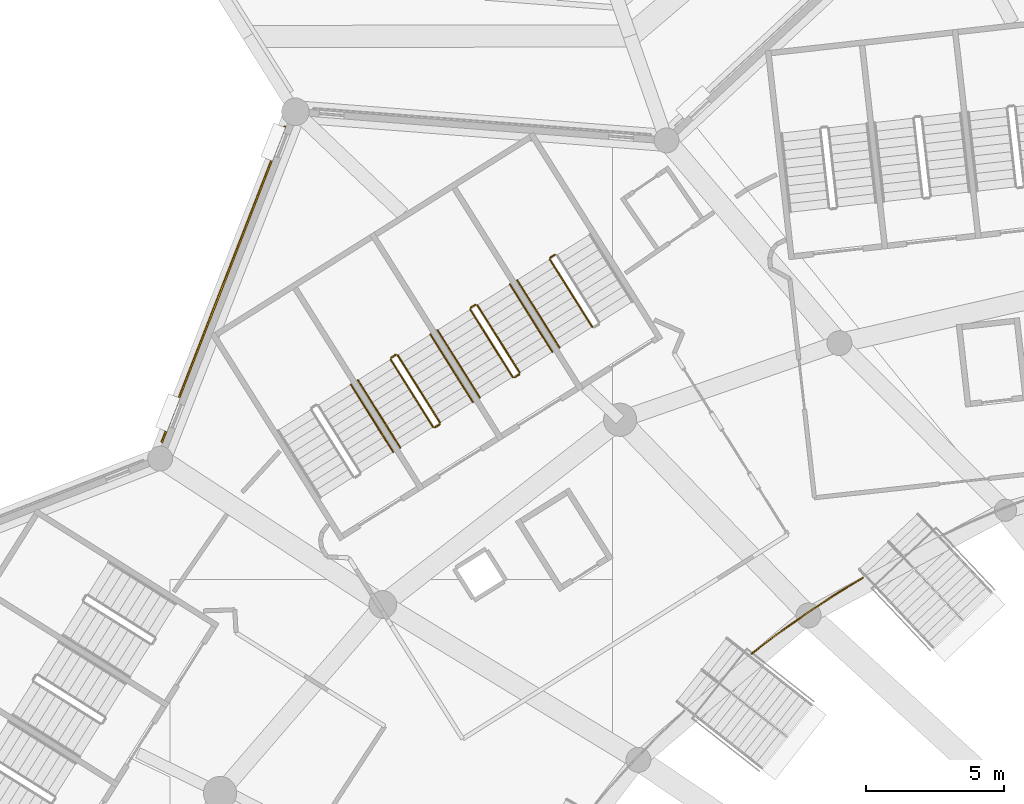
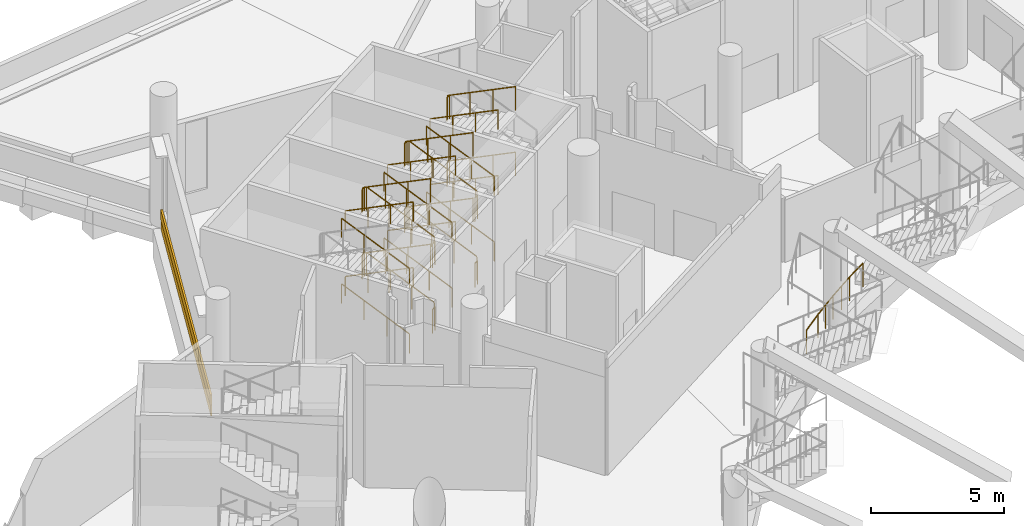
# One storey, part 151 of 173: 33 railings, 2 coverings.
"""IFC4 building model written with IfcOpenShell, lengths in metres."""

from ifc_helpers import new_model, si_unit, direction, frame, origin, origin_2d, place, context, subcontext, project, spatial, rectangle, circle, extrude, material, layer, layer_set, type_object, element, save


model = new_model("IFC4")

# Units and contexts
model_context = context("Model", 3, precision=1e-05, world=origin(), true_north=direction((0.0, 1.0)))
body_context = subcontext(model_context, "Body", "Model", "MODEL_VIEW")
ifc_project = project(units=[si_unit("LENGTHUNIT", "METRE"), si_unit("AREAUNIT", "SQUARE_METRE"), si_unit("VOLUMEUNIT", "CUBIC_METRE"), si_unit("PLANEANGLEUNIT", "RADIAN"), si_unit("MASSUNIT", "GRAM", prefix="KILO")], contexts=[model_context])

# Site, building, storey
site_placement = place(None, origin())
site = spatial("IfcSite", under=ifc_project, at=site_placement, CompositionType="ELEMENT")
building_placement = place(site_placement, origin())
building = spatial("IfcBuilding", under=site, at=building_placement, Name="Meseta Stadium", CompositionType="ELEMENT")
storey_placement = place(building_placement, frame((0.0, 0.0, 18.0)))
storey = spatial("IfcBuildingStorey", under=building, at=storey_placement, Name="L03", CompositionType="ELEMENT", Elevation=18.0)

# Covering
ifc_material_1 = material(Name="Guadarrama granite cladding", Category="masonry")
ifc_layer_1 = layer(ifc_material_1, 0.06005859375)
ifc_layer_set_1 = layer_set([ifc_layer_1], Name="Granite plinth cladding 60")
covering_type_1 = type_object("IfcCoveringType", Name="Granite plinth cladding 60", PredefinedType="CLADDING", material=ifc_layer_set_1)
covering_1_placement = place(storey_placement, frame((-78.073486328125, 90.669921875, 0.0), z_axis=(0.0, 0.0, 1.0), x_axis=(0.363280500237, 0.931679815252, 0.0)))
element("IfcCovering", 1, at=covering_1_placement, inside=storey, type_object=covering_type_1, Name="Granite plinth L03 F24", PredefinedType="CLADDING", context=body_context, shape_type="SweptSolid", body=[
    extrude(rectangle(XDim=12.273681640625, YDim=0.06005859375, at=origin_2d()), origin(), (0.0, 0.0, 1.0), 0.5),
])

# Railings
ifc_material_2 = material(Name="Steel S355", Category="steel")
railing_type_1 = type_object("IfcRailingType", Name="Plate edge guard 1100", PredefinedType="GUARDRAIL", material=ifc_material_2)
railing_1_placement = place(storey_placement, frame((-54.950927734375, 80.05615234375, 0.0)))
element("IfcRailing", 2, at=railing_1_placement, inside=storey, type_object=railing_type_1, Name="L03 inner edge guard 25", PredefinedType="GUARDRAIL", context=body_context, shape_type="SweptSolid", body=[
    extrude(circle(Radius=0.02490234375, at=origin_2d()), frame((0.0, 0.0, 1.0751953125), z_axis=(-0.855746499961, -0.517395330289, 0.0), x_axis=(0.517395330289, -0.855746499961, 0.0)), (0.0, 0.0, 1.0), 1.0390625),
    extrude(circle(Radius=0.02490234375, at=origin_2d()), frame((-0.88916015625, -0.53759765625, 1.0751953125), z_axis=(-0.836743645867, -0.547594805583, 0.0), x_axis=(0.547594805583, -0.836743645867, 0.0)), (0.0, 0.0, 1.0), 1.351806640625),
    extrude(circle(Radius=0.02490234375, at=origin_2d()), frame((-2.020263671875, -1.27783203125, 1.0751953125), z_axis=(-0.816797629008, -0.576924287274, 0.0), x_axis=(0.576924287274, -0.816797629008, 0.0)), (0.0, 0.0, 1.0), 1.3515625),
    extrude(circle(Radius=0.02490234375, at=origin_2d()), frame((-3.124267578125, -2.0576171875, 1.0751953125), z_axis=(-0.795674728127, -0.605724134421, 0.0), x_axis=(0.605724134421, -0.795674728127, 0.0)), (0.0, 0.0, 1.0), 1.1298828125),
    extrude(circle(Radius=0.02001953125, at=origin_2d()), origin(), (0.0, 0.0, 1.0), 1.050048828125),
    extrude(circle(Radius=0.02001953125, at=origin_2d()), frame((-0.88916015625, -0.53759765625, 0.0)), (0.0, 0.0, 1.0), 1.050048828125),
    extrude(circle(Radius=0.02001953125, at=origin_2d()), frame((-1.45458984375, -0.90771484375, 0.0)), (0.0, 0.0, 1.0), 1.050048828125),
    extrude(circle(Radius=0.02001953125, at=origin_2d()), frame((-2.020263671875, -1.27783203125, 0.0)), (0.0, 0.0, 1.0), 1.050048828125),
    extrude(circle(Radius=0.02001953125, at=origin_2d()), frame((-2.572265625, -1.667724609375, 0.0)), (0.0, 0.0, 1.0), 1.050048828125),
    extrude(circle(Radius=0.02001953125, at=origin_2d()), frame((-3.124267578125, -2.0576171875, 0.0)), (0.0, 0.0, 1.0), 1.050048828125),
    extrude(circle(Radius=0.02001953125, at=origin_2d()), frame((-4.023193359375, -2.741943359375, 0.0)), (0.0, 0.0, 1.0), 1.050048828125),
])
ifc_material_3 = material(Name="Steel S355", Category="steel")
railing_type_2 = type_object("IfcRailingType", Name="Stair guard 1100", PredefinedType="GUARDRAIL", material=ifc_material_3)
railing_2_placement = place(storey_placement, frame((-66.08642578125, 91.7412109375, 1.5)))
element("IfcRailing", 3, at=railing_2_placement, inside=storey, type_object=railing_type_2, Name="ST49 L03 guard 2", PredefinedType="GUARDRAIL", context=body_context, shape_type="SweptSolid", body=[
    extrude(circle(Radius=0.02392578125, at=origin_2d()), frame((0.0, 0.0, 1.076171875), z_axis=(-0.846762178531, -0.531971628011, 0.0), x_axis=(0.531971628011, -0.846762178531, 0.0)), (0.0, 0.0, 1.0), 0.2001953125),
    extrude(circle(Radius=0.02099609375, at=origin_2d()), origin(), (0.0, 0.0, 1.0), 1.052001953125),
    extrude(circle(Radius=0.02099609375, at=origin_2d()), frame((-0.16943359375, -0.1064453125, 0.0)), (0.0, 0.0, 1.0), 1.052001953125),
])
railing_3_placement = place(storey_placement, frame((-66.271484375, 91.56591796875, 1.64990234375)))
element("IfcRailing", 4, at=railing_3_placement, inside=storey, type_object=railing_type_2, Name="ST49 L03 guard 3", PredefinedType="GUARDRAIL", context=body_context, shape_type="SweptSolid", body=[
    extrude(circle(Radius=0.02392578125, at=origin_2d()), frame((0.0, 0.0, 1.076171875), z_axis=(0.481731036161, -0.766655447606, 0.424469826318), x_axis=(0.846719477248, 0.53203959143, 0.0)), (0.0, 0.0, 1.0), 3.1806640625),
    extrude(circle(Radius=0.02099609375, at=origin_2d()), origin(), (0.0, 0.0, 1.0), 1.052001953125),
    extrude(circle(Radius=0.02099609375, at=origin_2d()), frame((0.5107421875, -0.812744140625, 0.449951171875)), (0.0, 0.0, 1.0), 1.052001953125),
    extrude(circle(Radius=0.02099609375, at=origin_2d()), frame((1.021484375, -1.625732421875, 0.900146484375)), (0.0, 0.0, 1.0), 1.052001953125),
    extrude(circle(Radius=0.02099609375, at=origin_2d()), frame((1.5322265625, -2.4384765625, 1.35009765625)), (0.0, 0.0, 1.0), 1.052001953125),
])
railing_4_placement = place(storey_placement, frame((-66.08642578125, 91.7412109375, 4.5)))
element("IfcRailing", 5, at=railing_4_placement, inside=storey, type_object=railing_type_2, Name="ST49 L03 guard 6", PredefinedType="GUARDRAIL", context=body_context, shape_type="SweptSolid", body=[
    extrude(circle(Radius=0.02392578125, at=origin_2d()), frame((0.0, 0.0, 1.076171875), z_axis=(-0.846762178531, -0.531971628011, 0.0), x_axis=(0.531971628011, -0.846762178531, 0.0)), (0.0, 0.0, 1.0), 0.2001953125),
    extrude(circle(Radius=0.02099609375, at=origin_2d()), origin(), (0.0, 0.0, 1.0), 1.052001953125),
    extrude(circle(Radius=0.02099609375, at=origin_2d()), frame((-0.16943359375, -0.1064453125, 0.0)), (0.0, 0.0, 1.0), 1.052001953125),
])
railing_5_placement = place(storey_placement, frame((-66.271484375, 91.56591796875, 4.64990234375)))
element("IfcRailing", 6, at=railing_5_placement, inside=storey, type_object=railing_type_2, Name="ST49 L03 guard 7", PredefinedType="GUARDRAIL", context=body_context, shape_type="SweptSolid", body=[
    extrude(circle(Radius=0.02392578125, at=origin_2d()), frame((0.0, 0.0, 1.076171875), z_axis=(0.481731036161, -0.766655447606, 0.424469826318), x_axis=(0.846719477248, 0.53203959143, 0.0)), (0.0, 0.0, 1.0), 3.1806640625),
    extrude(circle(Radius=0.02099609375, at=origin_2d()), origin(), (0.0, 0.0, 1.0), 1.052001953125),
    extrude(circle(Radius=0.02099609375, at=origin_2d()), frame((0.5107421875, -0.812744140625, 0.449951171875)), (0.0, 0.0, 1.0), 1.052001953125),
    extrude(circle(Radius=0.02099609375, at=origin_2d()), frame((1.021484375, -1.625732421875, 0.900146484375)), (0.0, 0.0, 1.0), 1.052001953125),
    extrude(circle(Radius=0.02099609375, at=origin_2d()), frame((1.5322265625, -2.4384765625, 1.35009765625)), (0.0, 0.0, 1.0), 1.052001953125),
])
railing_6_placement = place(storey_placement, frame((-67.3642578125, 87.47802734375, 0.14990234375)))
element("IfcRailing", 7, at=railing_6_placement, inside=storey, type_object=railing_type_2, Name="ST50 L03 guard 1", PredefinedType="GUARDRAIL", context=body_context, shape_type="SweptSolid", body=[
    extrude(circle(Radius=0.02392578125, at=origin_2d()), frame((0.0, 0.0, 1.076171875), z_axis=(-0.481702688975, 0.766687087345, 0.424444848635), x_axis=(-0.84674347122, -0.532001404082, 0.0)), (0.0, 0.0, 1.0), 3.180908203125),
    extrude(circle(Radius=0.02099609375, at=origin_2d()), origin(), (0.0, 0.0, 1.0), 1.052001953125),
    extrude(circle(Radius=0.02099609375, at=origin_2d()), frame((-0.5107421875, 0.81298828125, 0.449951171875)), (0.0, 0.0, 1.0), 1.052001953125),
    extrude(circle(Radius=0.02099609375, at=origin_2d()), frame((-1.021484375, 1.625732421875, 0.900146484375)), (0.0, 0.0, 1.0), 1.052001953125),
    extrude(circle(Radius=0.02099609375, at=origin_2d()), frame((-1.5322265625, 2.438720703125, 1.35009765625)), (0.0, 0.0, 1.0), 1.052001953125),
])
railing_7_placement = place(storey_placement, frame((-68.96533203125, 89.932373046875, 1.5)))
element("IfcRailing", 8, at=railing_7_placement, inside=storey, type_object=railing_type_2, Name="ST50 L03 guard 2", PredefinedType="GUARDRAIL", context=body_context, shape_type="SweptSolid", body=[
    extrude(circle(Radius=0.02392578125, at=origin_2d()), frame((0.0, 0.0, 1.076171875), z_axis=(-0.846762178531, -0.531971628011, 0.0), x_axis=(0.531971628011, -0.846762178531, 0.0)), (0.0, 0.0, 1.0), 0.2001953125),
    extrude(circle(Radius=0.02099609375, at=origin_2d()), origin(), (0.0, 0.0, 1.0), 1.052001953125),
    extrude(circle(Radius=0.02099609375, at=origin_2d()), frame((-0.16943359375, -0.1064453125, 0.0)), (0.0, 0.0, 1.0), 1.052001953125),
])
railing_8_placement = place(storey_placement, frame((-69.150390625, 89.757080078125, 1.64990234375)))
element("IfcRailing", 9, at=railing_8_placement, inside=storey, type_object=railing_type_2, Name="ST50 L03 guard 3", PredefinedType="GUARDRAIL", context=body_context, shape_type="SweptSolid", body=[
    extrude(circle(Radius=0.02392578125, at=origin_2d()), frame((0.0, 0.0, 1.076171875), z_axis=(0.481702688975, -0.766687087345, 0.424444848635), x_axis=(0.84674347122, 0.532001404082, 0.0)), (0.0, 0.0, 1.0), 3.180908203125),
    extrude(circle(Radius=0.02099609375, at=origin_2d()), origin(), (0.0, 0.0, 1.0), 1.052001953125),
    extrude(circle(Radius=0.02099609375, at=origin_2d()), frame((0.5107421875, -0.81298828125, 0.449951171875)), (0.0, 0.0, 1.0), 1.052001953125),
    extrude(circle(Radius=0.02099609375, at=origin_2d()), frame((1.021484375, -1.625732421875, 0.900146484375)), (0.0, 0.0, 1.0), 1.052001953125),
    extrude(circle(Radius=0.02099609375, at=origin_2d()), frame((1.5322265625, -2.438720703125, 1.35009765625)), (0.0, 0.0, 1.0), 1.052001953125),
])
railing_9_placement = place(storey_placement, frame((-67.3798828125, 87.4091796875, 3.0)))
element("IfcRailing", 10, at=railing_9_placement, inside=storey, type_object=railing_type_2, Name="ST50 L03 guard 4", PredefinedType="GUARDRAIL", context=body_context, shape_type="SweptSolid", body=[
    extrude(circle(Radius=0.02392578125, at=origin_2d()), frame((0.0, 0.0, 1.076171875), z_axis=(-0.846762178531, -0.531971628011, 0.0), x_axis=(0.531971628011, -0.846762178531, 0.0)), (0.0, 0.0, 1.0), 0.2001953125),
    extrude(circle(Radius=0.02099609375, at=origin_2d()), origin(), (0.0, 0.0, 1.0), 1.052001953125),
    extrude(circle(Radius=0.02099609375, at=origin_2d()), frame((-0.16943359375, -0.1064453125, 0.0)), (0.0, 0.0, 1.0), 1.052001953125),
])
railing_10_placement = place(storey_placement, frame((-67.3642578125, 87.47802734375, 3.14990234375)))
element("IfcRailing", 11, at=railing_10_placement, inside=storey, type_object=railing_type_2, Name="ST50 L03 guard 5", PredefinedType="GUARDRAIL", context=body_context, shape_type="SweptSolid", body=[
    extrude(circle(Radius=0.02392578125, at=origin_2d()), frame((0.0, 0.0, 1.076171875), z_axis=(-0.481702688975, 0.766687087345, 0.424444848635), x_axis=(-0.84674347122, -0.532001404082, 0.0)), (0.0, 0.0, 1.0), 3.180908203125),
    extrude(circle(Radius=0.02099609375, at=origin_2d()), origin(), (0.0, 0.0, 1.0), 1.052001953125),
    extrude(circle(Radius=0.02099609375, at=origin_2d()), frame((-0.5107421875, 0.81298828125, 0.449951171875)), (0.0, 0.0, 1.0), 1.052001953125),
    extrude(circle(Radius=0.02099609375, at=origin_2d()), frame((-1.021484375, 1.625732421875, 0.900146484375)), (0.0, 0.0, 1.0), 1.052001953125),
    extrude(circle(Radius=0.02099609375, at=origin_2d()), frame((-1.5322265625, 2.438720703125, 1.35009765625)), (0.0, 0.0, 1.0), 1.052001953125),
])
railing_11_placement = place(storey_placement, frame((-68.96533203125, 89.932373046875, 4.5)))
element("IfcRailing", 12, at=railing_11_placement, inside=storey, type_object=railing_type_2, Name="ST50 L03 guard 6", PredefinedType="GUARDRAIL", context=body_context, shape_type="SweptSolid", body=[
    extrude(circle(Radius=0.02392578125, at=origin_2d()), frame((0.0, 0.0, 1.076171875), z_axis=(-0.846762178531, -0.531971628011, 0.0), x_axis=(0.531971628011, -0.846762178531, 0.0)), (0.0, 0.0, 1.0), 0.2001953125),
    extrude(circle(Radius=0.02099609375, at=origin_2d()), origin(), (0.0, 0.0, 1.0), 1.052001953125),
    extrude(circle(Radius=0.02099609375, at=origin_2d()), frame((-0.16943359375, -0.1064453125, 0.0)), (0.0, 0.0, 1.0), 1.052001953125),
])
railing_12_placement = place(storey_placement, frame((-69.150390625, 89.757080078125, 4.64990234375)))
element("IfcRailing", 13, at=railing_12_placement, inside=storey, type_object=railing_type_2, Name="ST50 L03 guard 7", PredefinedType="GUARDRAIL", context=body_context, shape_type="SweptSolid", body=[
    extrude(circle(Radius=0.02392578125, at=origin_2d()), frame((0.0, 0.0, 1.076171875), z_axis=(0.481702688975, -0.766687087345, 0.424444848635), x_axis=(0.84674347122, 0.532001404082, 0.0)), (0.0, 0.0, 1.0), 3.180908203125),
    extrude(circle(Radius=0.02099609375, at=origin_2d()), origin(), (0.0, 0.0, 1.0), 1.052001953125),
    extrude(circle(Radius=0.02099609375, at=origin_2d()), frame((0.5107421875, -0.81298828125, 0.449951171875)), (0.0, 0.0, 1.0), 1.052001953125),
    extrude(circle(Radius=0.02099609375, at=origin_2d()), frame((1.021484375, -1.625732421875, 0.900146484375)), (0.0, 0.0, 1.0), 1.052001953125),
    extrude(circle(Radius=0.02099609375, at=origin_2d()), frame((1.5322265625, -2.438720703125, 1.35009765625)), (0.0, 0.0, 1.0), 1.052001953125),
])
railing_13_placement = place(storey_placement, frame((-67.3798828125, 87.4091796875, 0.0)))
element("IfcRailing", 14, at=railing_13_placement, inside=storey, type_object=railing_type_2, Name="ST50 L03 guard 8", PredefinedType="GUARDRAIL", context=body_context, shape_type="SweptSolid", body=[
    extrude(circle(Radius=0.02392578125, at=origin_2d()), frame((0.0, 0.0, 1.076171875), z_axis=(-0.846762178531, -0.531971628011, 0.0), x_axis=(0.531971628011, -0.846762178531, 0.0)), (0.0, 0.0, 1.0), 0.2001953125),
    extrude(circle(Radius=0.02099609375, at=origin_2d()), origin(), (0.0, 0.0, 1.0), 1.052001953125),
    extrude(circle(Radius=0.02099609375, at=origin_2d()), frame((-0.16943359375, -0.1064453125, 0.0)), (0.0, 0.0, 1.0), 1.052001953125),
])
railing_14_placement = place(storey_placement, frame((-70.242919921875, 85.669189453125, 0.14990234375)))
element("IfcRailing", 15, at=railing_14_placement, inside=storey, type_object=railing_type_2, Name="ST51 L03 guard 1", PredefinedType="GUARDRAIL", context=body_context, shape_type="SweptSolid", body=[
    extrude(circle(Radius=0.02392578125, at=origin_2d()), frame((0.0, 0.0, 1.076171875), z_axis=(-0.481731036161, 0.766655447606, 0.424469826318), x_axis=(-0.846719477248, -0.53203959143, 0.0)), (0.0, 0.0, 1.0), 3.1806640625),
    extrude(circle(Radius=0.02099609375, at=origin_2d()), origin(), (0.0, 0.0, 1.0), 1.052001953125),
    extrude(circle(Radius=0.02099609375, at=origin_2d()), frame((-0.5107421875, 0.812744140625, 0.449951171875)), (0.0, 0.0, 1.0), 1.052001953125),
    extrude(circle(Radius=0.02099609375, at=origin_2d()), frame((-1.021484375, 1.625732421875, 0.900146484375)), (0.0, 0.0, 1.0), 1.052001953125),
    extrude(circle(Radius=0.02099609375, at=origin_2d()), frame((-1.5322265625, 2.4384765625, 1.35009765625)), (0.0, 0.0, 1.0), 1.052001953125),
])
railing_15_placement = place(storey_placement, frame((-71.84423828125, 88.12353515625, 1.5)))
element("IfcRailing", 16, at=railing_15_placement, inside=storey, type_object=railing_type_2, Name="ST51 L03 guard 2", PredefinedType="GUARDRAIL", context=body_context, shape_type="SweptSolid", body=[
    extrude(circle(Radius=0.02392578125, at=origin_2d()), frame((0.0, 0.0, 1.076171875), z_axis=(-0.846416356806, -0.532521690573, 0.0), x_axis=(0.532521690573, -0.846416356806, 0.0)), (0.0, 0.0, 1.0), 0.199951171875),
    extrude(circle(Radius=0.02099609375, at=origin_2d()), origin(), (0.0, 0.0, 1.0), 1.052001953125),
    extrude(circle(Radius=0.02099609375, at=origin_2d()), frame((-0.169189453125, -0.1064453125, 0.0)), (0.0, 0.0, 1.0), 1.052001953125),
])
railing_16_placement = place(storey_placement, frame((-72.029296875, 87.947998046875, 1.64990234375)))
element("IfcRailing", 17, at=railing_16_placement, inside=storey, type_object=railing_type_2, Name="ST51 L03 guard 3", PredefinedType="GUARDRAIL", context=body_context, shape_type="SweptSolid", body=[
    extrude(circle(Radius=0.02392578125, at=origin_2d()), frame((0.0, 0.0, 1.076171875), z_axis=(0.481731036161, -0.766655447606, 0.424469826318), x_axis=(0.846719477248, 0.53203959143, 0.0)), (0.0, 0.0, 1.0), 3.1806640625),
    extrude(circle(Radius=0.02099609375, at=origin_2d()), origin(), (0.0, 0.0, 1.0), 1.052001953125),
    extrude(circle(Radius=0.02099609375, at=origin_2d()), frame((0.5107421875, -0.812744140625, 0.449951171875)), (0.0, 0.0, 1.0), 1.052001953125),
    extrude(circle(Radius=0.02099609375, at=origin_2d()), frame((1.021484375, -1.625732421875, 0.900146484375)), (0.0, 0.0, 1.0), 1.052001953125),
    extrude(circle(Radius=0.02099609375, at=origin_2d()), frame((1.5322265625, -2.4384765625, 1.35009765625)), (0.0, 0.0, 1.0), 1.052001953125),
])
railing_17_placement = place(storey_placement, frame((-70.2587890625, 85.600341796875, 3.0)))
element("IfcRailing", 18, at=railing_17_placement, inside=storey, type_object=railing_type_2, Name="ST51 L03 guard 4", PredefinedType="GUARDRAIL", context=body_context, shape_type="SweptSolid", body=[
    extrude(circle(Radius=0.02392578125, at=origin_2d()), frame((0.0, 0.0, 1.076171875), z_axis=(-0.846416356806, -0.532521690573, 0.0), x_axis=(0.532521690573, -0.846416356806, 0.0)), (0.0, 0.0, 1.0), 0.199951171875),
    extrude(circle(Radius=0.02099609375, at=origin_2d()), origin(), (0.0, 0.0, 1.0), 1.052001953125),
    extrude(circle(Radius=0.02099609375, at=origin_2d()), frame((-0.169189453125, -0.1064453125, 0.0)), (0.0, 0.0, 1.0), 1.052001953125),
])
railing_18_placement = place(storey_placement, frame((-70.242919921875, 85.669189453125, 3.14990234375)))
element("IfcRailing", 19, at=railing_18_placement, inside=storey, type_object=railing_type_2, Name="ST51 L03 guard 5", PredefinedType="GUARDRAIL", context=body_context, shape_type="SweptSolid", body=[
    extrude(circle(Radius=0.02392578125, at=origin_2d()), frame((0.0, 0.0, 1.076171875), z_axis=(-0.481731036161, 0.766655447606, 0.424469826318), x_axis=(-0.846719477248, -0.53203959143, 0.0)), (0.0, 0.0, 1.0), 3.1806640625),
    extrude(circle(Radius=0.02099609375, at=origin_2d()), origin(), (0.0, 0.0, 1.0), 1.052001953125),
    extrude(circle(Radius=0.02099609375, at=origin_2d()), frame((-0.5107421875, 0.812744140625, 0.449951171875)), (0.0, 0.0, 1.0), 1.052001953125),
    extrude(circle(Radius=0.02099609375, at=origin_2d()), frame((-1.021484375, 1.625732421875, 0.900146484375)), (0.0, 0.0, 1.0), 1.052001953125),
    extrude(circle(Radius=0.02099609375, at=origin_2d()), frame((-1.5322265625, 2.4384765625, 1.35009765625)), (0.0, 0.0, 1.0), 1.052001953125),
])
railing_19_placement = place(storey_placement, frame((-71.84423828125, 88.12353515625, 4.5)))
element("IfcRailing", 20, at=railing_19_placement, inside=storey, type_object=railing_type_2, Name="ST51 L03 guard 6", PredefinedType="GUARDRAIL", context=body_context, shape_type="SweptSolid", body=[
    extrude(circle(Radius=0.02392578125, at=origin_2d()), frame((0.0, 0.0, 1.076171875), z_axis=(-0.846416356806, -0.532521690573, 0.0), x_axis=(0.532521690573, -0.846416356806, 0.0)), (0.0, 0.0, 1.0), 0.199951171875),
    extrude(circle(Radius=0.02099609375, at=origin_2d()), origin(), (0.0, 0.0, 1.0), 1.052001953125),
    extrude(circle(Radius=0.02099609375, at=origin_2d()), frame((-0.169189453125, -0.1064453125, 0.0)), (0.0, 0.0, 1.0), 1.052001953125),
])
railing_20_placement = place(storey_placement, frame((-72.029296875, 87.947998046875, 4.64990234375)))
element("IfcRailing", 21, at=railing_20_placement, inside=storey, type_object=railing_type_2, Name="ST51 L03 guard 7", PredefinedType="GUARDRAIL", context=body_context, shape_type="SweptSolid", body=[
    extrude(circle(Radius=0.02392578125, at=origin_2d()), frame((0.0, 0.0, 1.076171875), z_axis=(0.481731036161, -0.766655447606, 0.424469826318), x_axis=(0.846719477248, 0.53203959143, 0.0)), (0.0, 0.0, 1.0), 3.1806640625),
    extrude(circle(Radius=0.02099609375, at=origin_2d()), origin(), (0.0, 0.0, 1.0), 1.052001953125),
    extrude(circle(Radius=0.02099609375, at=origin_2d()), frame((0.5107421875, -0.812744140625, 0.449951171875)), (0.0, 0.0, 1.0), 1.052001953125),
    extrude(circle(Radius=0.02099609375, at=origin_2d()), frame((1.021484375, -1.625732421875, 0.900146484375)), (0.0, 0.0, 1.0), 1.052001953125),
    extrude(circle(Radius=0.02099609375, at=origin_2d()), frame((1.5322265625, -2.4384765625, 1.35009765625)), (0.0, 0.0, 1.0), 1.052001953125),
])
railing_21_placement = place(storey_placement, frame((-70.2587890625, 85.600341796875, 0.0)))
element("IfcRailing", 22, at=railing_21_placement, inside=storey, type_object=railing_type_2, Name="ST51 L03 guard 8", PredefinedType="GUARDRAIL", context=body_context, shape_type="SweptSolid", body=[
    extrude(circle(Radius=0.02392578125, at=origin_2d()), frame((0.0, 0.0, 1.076171875), z_axis=(-0.846416356806, -0.532521690573, 0.0), x_axis=(0.532521690573, -0.846416356806, 0.0)), (0.0, 0.0, 1.0), 0.199951171875),
    extrude(circle(Radius=0.02099609375, at=origin_2d()), origin(), (0.0, 0.0, 1.0), 1.052001953125),
    extrude(circle(Radius=0.02099609375, at=origin_2d()), frame((-0.169189453125, -0.1064453125, 0.0)), (0.0, 0.0, 1.0), 1.052001953125),
])
ifc_material_4 = material(Name="Steel S355", Category="steel")
railing_type_3 = type_object("IfcRailingType", Name="Stair handrail 900", PredefinedType="HANDRAIL", material=ifc_material_4)
for number, where, name in (
    (23, (-67.45703125, 90.821044921875, 1.64990234375), "ST49 L03 handrail 2"),
    (24, (-67.45703125, 90.821044921875, 4.64990234375), "ST49 L03 handrail 4"),
):
    element("IfcRailing", number, at=place(storey_placement, frame(where)), inside=storey, type_object=railing_type_3, Name=name, PredefinedType="HANDRAIL", context=body_context, shape_type="SweptSolid", body=[
        extrude(circle(Radius=0.02392578125, at=origin_2d()), frame((0.0, 0.0, 0.8759765625), z_axis=(0.481731036161, -0.766655447606, 0.424469826318), x_axis=(0.846719477248, 0.53203959143, 0.0)), (0.0, 0.0, 1.0), 3.1806640625),
        extrude(circle(Radius=0.02099609375, at=origin_2d()), origin(), (0.0, 0.0, 1.0), 0.851806640625),
        extrude(circle(Radius=0.02099609375, at=origin_2d()), frame((0.5107421875, -0.812744140625, 0.449951171875)), (0.0, 0.0, 1.0), 0.851806640625),
        extrude(circle(Radius=0.02099609375, at=origin_2d()), frame((1.021484375, -1.625732421875, 0.900146484375)), (0.0, 0.0, 1.0), 0.851806640625),
        extrude(circle(Radius=0.02099609375, at=origin_2d()), frame((1.5322265625, -2.4384765625, 1.35009765625)), (0.0, 0.0, 1.0), 0.851806640625),
    ])
railing_22_placement = place(storey_placement, frame((-66.1787109375, 88.222900390625, 0.14990234375)))
element("IfcRailing", 25, at=railing_22_placement, inside=storey, type_object=railing_type_3, Name="ST50 L03 handrail 1", PredefinedType="HANDRAIL", context=body_context, shape_type="SweptSolid", body=[
    extrude(circle(Radius=0.02392578125, at=origin_2d()), frame((0.0, 0.0, 0.8759765625), z_axis=(-0.481731036161, 0.766655447606, 0.424469826318), x_axis=(-0.846719477248, -0.53203959143, 0.0)), (0.0, 0.0, 1.0), 3.1806640625),
    extrude(circle(Radius=0.02099609375, at=origin_2d()), origin(), (0.0, 0.0, 1.0), 0.851806640625),
    extrude(circle(Radius=0.02099609375, at=origin_2d()), frame((-0.5107421875, 0.812744140625, 0.449951171875)), (0.0, 0.0, 1.0), 0.851806640625),
    extrude(circle(Radius=0.02099609375, at=origin_2d()), frame((-1.021484375, 1.625732421875, 0.900146484375)), (0.0, 0.0, 1.0), 0.851806640625),
    extrude(circle(Radius=0.02099609375, at=origin_2d()), frame((-1.5322265625, 2.4384765625, 1.35009765625)), (0.0, 0.0, 1.0), 0.851806640625),
])
railing_23_placement = place(storey_placement, frame((-70.3359375, 89.01220703125, 1.64990234375)))
element("IfcRailing", 26, at=railing_23_placement, inside=storey, type_object=railing_type_3, Name="ST50 L03 handrail 2", PredefinedType="HANDRAIL", context=body_context, shape_type="SweptSolid", body=[
    extrude(circle(Radius=0.02392578125, at=origin_2d()), frame((0.0, 0.0, 0.8759765625), z_axis=(0.481789977797, -0.766627098651, 0.424454130511), x_axis=(0.846681287241, 0.532100364439, 0.0)), (0.0, 0.0, 1.0), 3.1806640625),
    extrude(circle(Radius=0.02099609375, at=origin_2d()), origin(), (0.0, 0.0, 1.0), 0.851806640625),
    extrude(circle(Radius=0.02099609375, at=origin_2d()), frame((0.5107421875, -0.812744140625, 0.449951171875)), (0.0, 0.0, 1.0), 0.851806640625),
    extrude(circle(Radius=0.02099609375, at=origin_2d()), frame((1.021728515625, -1.625732421875, 0.900146484375)), (0.0, 0.0, 1.0), 0.851806640625),
    extrude(circle(Radius=0.02099609375, at=origin_2d()), frame((1.532470703125, -2.4384765625, 1.35009765625)), (0.0, 0.0, 1.0), 0.851806640625),
])
railing_24_placement = place(storey_placement, frame((-66.1787109375, 88.222900390625, 3.14990234375)))
element("IfcRailing", 27, at=railing_24_placement, inside=storey, type_object=railing_type_3, Name="ST50 L03 handrail 3", PredefinedType="HANDRAIL", context=body_context, shape_type="SweptSolid", body=[
    extrude(circle(Radius=0.02392578125, at=origin_2d()), frame((0.0, 0.0, 0.8759765625), z_axis=(-0.481731036161, 0.766655447606, 0.424469826318), x_axis=(-0.846719477248, -0.53203959143, 0.0)), (0.0, 0.0, 1.0), 3.1806640625),
    extrude(circle(Radius=0.02099609375, at=origin_2d()), origin(), (0.0, 0.0, 1.0), 0.851806640625),
    extrude(circle(Radius=0.02099609375, at=origin_2d()), frame((-0.5107421875, 0.812744140625, 0.449951171875)), (0.0, 0.0, 1.0), 0.851806640625),
    extrude(circle(Radius=0.02099609375, at=origin_2d()), frame((-1.021484375, 1.625732421875, 0.900146484375)), (0.0, 0.0, 1.0), 0.851806640625),
    extrude(circle(Radius=0.02099609375, at=origin_2d()), frame((-1.5322265625, 2.4384765625, 1.35009765625)), (0.0, 0.0, 1.0), 0.851806640625),
])
railing_25_placement = place(storey_placement, frame((-70.3359375, 89.01220703125, 4.64990234375)))
element("IfcRailing", 28, at=railing_25_placement, inside=storey, type_object=railing_type_3, Name="ST50 L03 handrail 4", PredefinedType="HANDRAIL", context=body_context, shape_type="SweptSolid", body=[
    extrude(circle(Radius=0.02392578125, at=origin_2d()), frame((0.0, 0.0, 0.8759765625), z_axis=(0.481789977797, -0.766627098651, 0.424454130511), x_axis=(0.846681287241, 0.532100364439, 0.0)), (0.0, 0.0, 1.0), 3.1806640625),
    extrude(circle(Radius=0.02099609375, at=origin_2d()), origin(), (0.0, 0.0, 1.0), 0.851806640625),
    extrude(circle(Radius=0.02099609375, at=origin_2d()), frame((0.5107421875, -0.812744140625, 0.449951171875)), (0.0, 0.0, 1.0), 0.851806640625),
    extrude(circle(Radius=0.02099609375, at=origin_2d()), frame((1.021728515625, -1.625732421875, 0.900146484375)), (0.0, 0.0, 1.0), 0.851806640625),
    extrude(circle(Radius=0.02099609375, at=origin_2d()), frame((1.532470703125, -2.4384765625, 1.35009765625)), (0.0, 0.0, 1.0), 0.851806640625),
])
railing_26_placement = place(storey_placement, frame((-69.0576171875, 86.4140625, 0.14990234375)))
element("IfcRailing", 29, at=railing_26_placement, inside=storey, type_object=railing_type_3, Name="ST51 L03 handrail 1", PredefinedType="HANDRAIL", context=body_context, shape_type="SweptSolid", body=[
    extrude(circle(Radius=0.02392578125, at=origin_2d()), frame((0.0, 0.0, 0.8759765625), z_axis=(-0.481731036161, 0.766655447606, 0.424469826318), x_axis=(-0.846719477248, -0.53203959143, 0.0)), (0.0, 0.0, 1.0), 3.1806640625),
    extrude(circle(Radius=0.02099609375, at=origin_2d()), origin(), (0.0, 0.0, 1.0), 0.851806640625),
    extrude(circle(Radius=0.02099609375, at=origin_2d()), frame((-0.5107421875, 0.812744140625, 0.449951171875)), (0.0, 0.0, 1.0), 0.851806640625),
    extrude(circle(Radius=0.02099609375, at=origin_2d()), frame((-1.021484375, 1.625732421875, 0.900146484375)), (0.0, 0.0, 1.0), 0.851806640625),
    extrude(circle(Radius=0.02099609375, at=origin_2d()), frame((-1.5322265625, 2.4384765625, 1.35009765625)), (0.0, 0.0, 1.0), 0.851806640625),
])
railing_27_placement = place(storey_placement, frame((-73.214599609375, 87.203369140625, 1.64990234375)))
element("IfcRailing", 30, at=railing_27_placement, inside=storey, type_object=railing_type_3, Name="ST51 L03 handrail 2", PredefinedType="HANDRAIL", context=body_context, shape_type="SweptSolid", body=[
    extrude(circle(Radius=0.02392578125, at=origin_2d()), frame((0.0, 0.0, 0.8759765625), z_axis=(0.481702688975, -0.766687087345, 0.424444848635), x_axis=(0.84674347122, 0.532001404082, 0.0)), (0.0, 0.0, 1.0), 3.180908203125),
    extrude(circle(Radius=0.02099609375, at=origin_2d()), origin(), (0.0, 0.0, 1.0), 0.851806640625),
    extrude(circle(Radius=0.02099609375, at=origin_2d()), frame((0.5107421875, -0.81298828125, 0.449951171875)), (0.0, 0.0, 1.0), 0.851806640625),
    extrude(circle(Radius=0.02099609375, at=origin_2d()), frame((1.021484375, -1.625732421875, 0.900146484375)), (0.0, 0.0, 1.0), 0.851806640625),
    extrude(circle(Radius=0.02099609375, at=origin_2d()), frame((1.5322265625, -2.438720703125, 1.35009765625)), (0.0, 0.0, 1.0), 0.851806640625),
])
railing_28_placement = place(storey_placement, frame((-69.0576171875, 86.4140625, 3.14990234375)))
element("IfcRailing", 31, at=railing_28_placement, inside=storey, type_object=railing_type_3, Name="ST51 L03 handrail 3", PredefinedType="HANDRAIL", context=body_context, shape_type="SweptSolid", body=[
    extrude(circle(Radius=0.02392578125, at=origin_2d()), frame((0.0, 0.0, 0.8759765625), z_axis=(-0.481731036161, 0.766655447606, 0.424469826318), x_axis=(-0.846719477248, -0.53203959143, 0.0)), (0.0, 0.0, 1.0), 3.1806640625),
    extrude(circle(Radius=0.02099609375, at=origin_2d()), origin(), (0.0, 0.0, 1.0), 0.851806640625),
    extrude(circle(Radius=0.02099609375, at=origin_2d()), frame((-0.5107421875, 0.812744140625, 0.449951171875)), (0.0, 0.0, 1.0), 0.851806640625),
    extrude(circle(Radius=0.02099609375, at=origin_2d()), frame((-1.021484375, 1.625732421875, 0.900146484375)), (0.0, 0.0, 1.0), 0.851806640625),
    extrude(circle(Radius=0.02099609375, at=origin_2d()), frame((-1.5322265625, 2.4384765625, 1.35009765625)), (0.0, 0.0, 1.0), 0.851806640625),
])
railing_29_placement = place(storey_placement, frame((-73.214599609375, 87.203369140625, 4.64990234375)))
element("IfcRailing", 32, at=railing_29_placement, inside=storey, type_object=railing_type_3, Name="ST51 L03 handrail 4", PredefinedType="HANDRAIL", context=body_context, shape_type="SweptSolid", body=[
    extrude(circle(Radius=0.02392578125, at=origin_2d()), frame((0.0, 0.0, 0.8759765625), z_axis=(0.481702688975, -0.766687087345, 0.424444848635), x_axis=(0.84674347122, 0.532001404082, 0.0)), (0.0, 0.0, 1.0), 3.180908203125),
    extrude(circle(Radius=0.02099609375, at=origin_2d()), origin(), (0.0, 0.0, 1.0), 0.851806640625),
    extrude(circle(Radius=0.02099609375, at=origin_2d()), frame((0.5107421875, -0.81298828125, 0.449951171875)), (0.0, 0.0, 1.0), 0.851806640625),
    extrude(circle(Radius=0.02099609375, at=origin_2d()), frame((1.021484375, -1.625732421875, 0.900146484375)), (0.0, 0.0, 1.0), 0.851806640625),
    extrude(circle(Radius=0.02099609375, at=origin_2d()), frame((1.5322265625, -2.438720703125, 1.35009765625)), (0.0, 0.0, 1.0), 0.851806640625),
])
for number, where, name in (
    (33, (-71.9365234375, 84.60498046875, 0.14990234375), "ST52 L03 handrail 1"),
    (34, (-71.9365234375, 84.60498046875, 3.14990234375), "ST52 L03 handrail 3"),
):
    element("IfcRailing", number, at=place(storey_placement, frame(where)), inside=storey, type_object=railing_type_3, Name=name, PredefinedType="HANDRAIL", context=body_context, shape_type="SweptSolid", body=[
        extrude(circle(Radius=0.02392578125, at=origin_2d()), frame((0.0, 0.0, 0.8759765625), z_axis=(-0.481702688975, 0.766687087345, 0.424444848635), x_axis=(-0.84674347122, -0.532001404082, 0.0)), (0.0, 0.0, 1.0), 3.180908203125),
        extrude(circle(Radius=0.02099609375, at=origin_2d()), origin(), (0.0, 0.0, 1.0), 0.851806640625),
        extrude(circle(Radius=0.02099609375, at=origin_2d()), frame((-0.5107421875, 0.81298828125, 0.449951171875)), (0.0, 0.0, 1.0), 0.851806640625),
        extrude(circle(Radius=0.02099609375, at=origin_2d()), frame((-1.021484375, 1.625732421875, 0.900146484375)), (0.0, 0.0, 1.0), 0.851806640625),
        extrude(circle(Radius=0.02099609375, at=origin_2d()), frame((-1.5322265625, 2.438720703125, 1.35009765625)), (0.0, 0.0, 1.0), 0.851806640625),
    ])

# Covering
ifc_material_5 = material(Name="Precast concrete C40/50, terracotta pigment", Category="masonry")
ifc_layer_2 = layer(ifc_material_5, 0.080078125)
ifc_layer_set_2 = layer_set([ifc_layer_2], Name="Precast concrete C40/50, terracotta pigment")
covering_type_2 = type_object("IfcCoveringType", Name="Terracotta precast band 80", PredefinedType="CLADDING", material=ifc_layer_set_2)
covering_2_placement = place(storey_placement, frame((-78.082763671875, 90.673583984375, 0.5), z_axis=(0.0, 0.0, 1.0), x_axis=(0.363280500237, 0.931679815252, 0.0)))
element("IfcCovering", 35, at=covering_2_placement, inside=storey, type_object=covering_type_2, Name="Terracotta band L03 F24", PredefinedType="CLADDING", context=body_context, shape_type="SweptSolid", body=[
    extrude(rectangle(XDim=12.273681640625, YDim=0.080078125, at=origin_2d()), origin(), (0.0, 0.0, 1.0), 0.449951171875),
])

save(model, "model.ifc")
